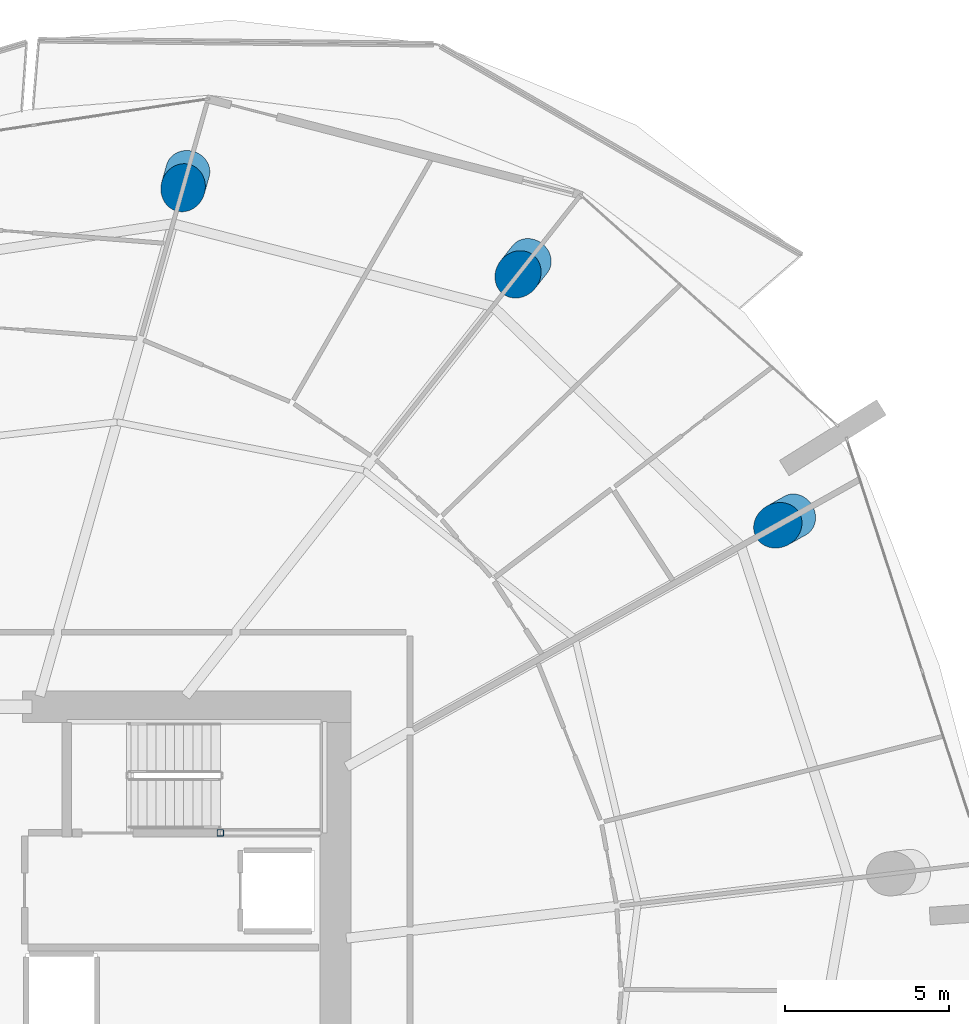
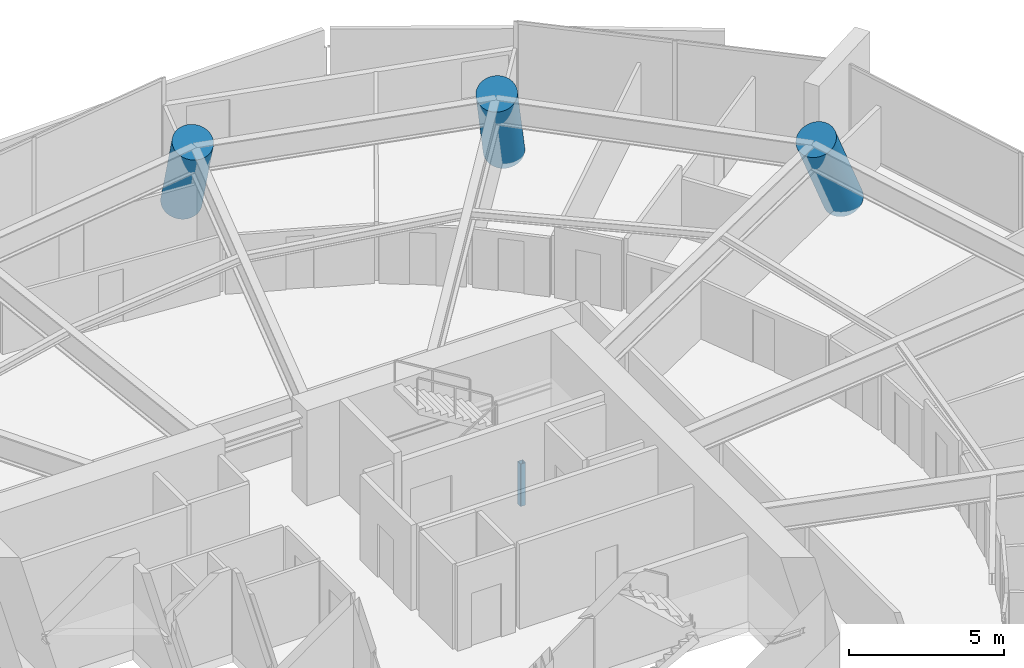
# One storey, part 5 of 31: 4 columns.
"""IFC4 building model written with IfcOpenShell, lengths in metres."""

from ifc_helpers import new_model, si_unit, direction, frame, origin, origin_2d, place, context, subcontext, project, spatial, hollow_rectangle, circle, extrude, material, material_profile, profile_set, type_object, element, save


model = new_model("IFC4")

# Units and contexts
model_context = context("Model", 3, precision=1e-05, world=origin(), true_north=direction((0.0, 1.0)))
body_context = subcontext(model_context, "Body", "Model", "MODEL_VIEW")
ifc_project = project(units=[si_unit("LENGTHUNIT", "METRE"), si_unit("AREAUNIT", "SQUARE_METRE"), si_unit("VOLUMEUNIT", "CUBIC_METRE"), si_unit("PLANEANGLEUNIT", "RADIAN"), si_unit("MASSUNIT", "GRAM", prefix="KILO")], contexts=[model_context])

# Site, building, storey
site_placement = place(None, origin())
site = spatial("IfcSite", under=ifc_project, at=site_placement, CompositionType="ELEMENT")
building_placement = place(site_placement, origin())
building = spatial("IfcBuilding", under=site, at=building_placement, Name="Kazma Halo Residences", CompositionType="ELEMENT")
storey_placement = place(building_placement, frame((0.0, 0.0, 71.39990234375)))
storey = spatial("IfcBuildingStorey", under=building, at=storey_placement, Name="L17", CompositionType="ELEMENT", Elevation=71.39990234375)

# Columns
ifc_material_1 = material(Name="Steel S355", Category="steel")
ifc_material_profile_1 = material_profile(ifc_material_1, hollow_rectangle(XDim=0.199951171875, YDim=0.199951171875, WallThickness=0.010009765625, InnerFilletRadius=0.010009765625, OuterFilletRadius=0.02001953125, at=origin_2d()), Name="SHS200x200x10")
ifc_profile_set_1 = profile_set([ifc_material_profile_1], Name="Steel S355")
column_type_1 = type_object("IfcColumnType", Name="COL-LP-SHS200", PredefinedType="COLUMN", material=ifc_profile_set_1)
column_1_placement = place(storey_placement, frame((56.0, 46.6201171875, 0.0), z_axis=(0.0, 0.0, 1.0), x_axis=(1.0, 0.0, 0.0)))
element("IfcColumn", 1, at=column_1_placement, inside=storey, type_object=column_type_1, Name="L17 ST-02 landing pilaster 1", PredefinedType="COLUMN", context=body_context, shape_type="SweptSolid", body=[
    extrude(hollow_rectangle(XDim=0.199951171875, YDim=0.199951171875, WallThickness=0.010009765625, InnerFilletRadius=0.010009765625, OuterFilletRadius=0.02001953125, at=origin_2d()), origin(), (0.0, 0.0, 1.0), 1.670166015625),
])
ifc_material_2 = material(Name="Concrete C80/95", Category="concrete")
ifc_material_profile_2 = material_profile(ifc_material_2, circle(Radius=0.675048828125, at=origin_2d()), Name="CIRC1350")
ifc_profile_set_2 = profile_set([ifc_material_profile_2], Name="Concrete C80/95")
column_type_2 = type_object("IfcColumnType", Name="COL-PERIM-1350", PredefinedType="COLUMN", material=ifc_profile_set_2)
column_2_placement = place(storey_placement, frame((73.56494140625, 56.317138671875, 0.0), z_axis=(-0.395060386522, -0.22124681186, 0.891614905238), x_axis=(0.488625217479, -0.872493780404, 0.0)))
element("IfcColumn", 2, at=column_2_placement, inside=storey, type_object=column_type_2, Name="L17 perimeter ring column P01", PredefinedType="COLUMN", context=body_context, shape_type="SweptSolid", body=[
    extrude(circle(Radius=0.675048828125, at=origin_2d()), origin(), (0.0, 0.0, 1.0), 3.75732421875),
])
column_3_placement = place(storey_placement, frame((65.458251953125, 64.145751953125, 0.0), z_axis=(-0.271840819549, -0.344907860641, 0.898410338595), x_axis=(0.785386244622, -0.619006015123, 0.0)))
element("IfcColumn", 3, at=column_3_placement, inside=storey, type_object=column_type_2, Name="L17 perimeter ring column P02", PredefinedType="COLUMN", context=body_context, shape_type="SweptSolid", body=[
    extrude(circle(Radius=0.675048828125, at=origin_2d()), origin(), (0.0, 0.0, 1.0), 3.72900390625),
])
column_4_placement = place(storey_placement, frame((55.00830078125, 66.849365234375, 0.0), z_axis=(-0.110887123569, -0.393127114754, 0.912773311108), x_axis=(0.962446403038, -0.271471768843, 0.0)))
element("IfcColumn", 4, at=column_4_placement, inside=storey, type_object=column_type_2, Name="L17 perimeter ring column P03", PredefinedType="COLUMN", context=body_context, shape_type="SweptSolid", body=[
    extrude(circle(Radius=0.675048828125, at=origin_2d()), origin(), (0.0, 0.0, 1.0), 3.670166015625),
])

save(model, "model.ifc")
